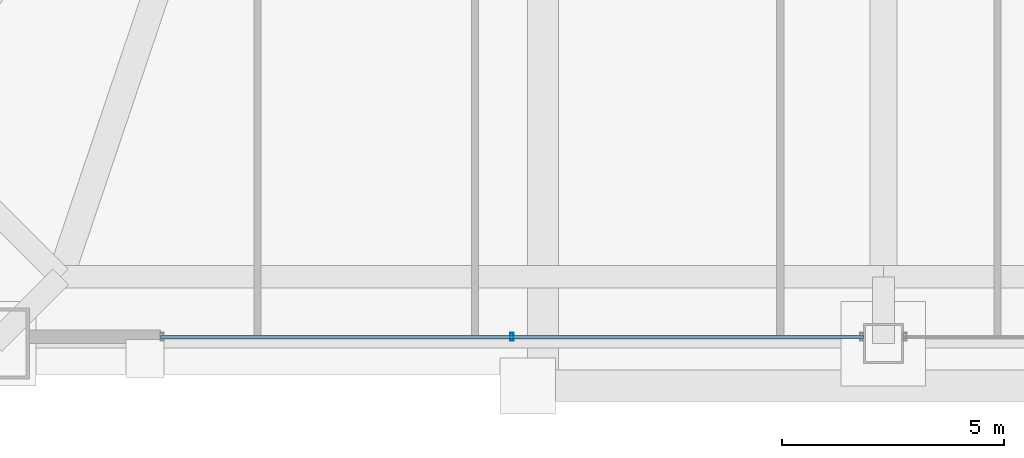
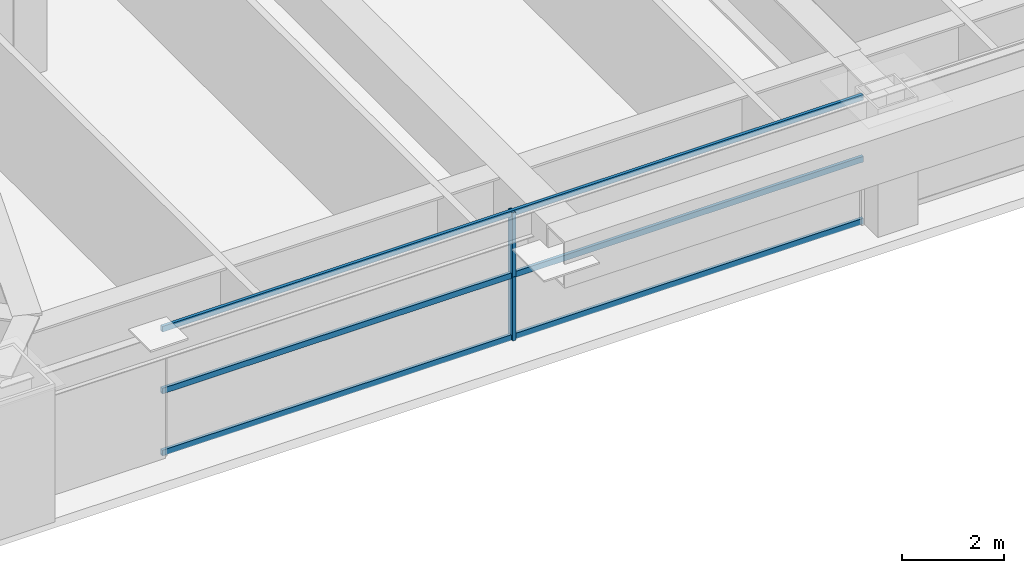
# One storey, part 6 of 45: 5 members, 1 element without a shape of its own.
"""IFC4 building model written with IfcOpenShell, lengths in metres."""

from ifc_helpers import new_model, si_unit, direction, frame, origin, origin_2d, place, context, subcontext, project, spatial, hollow_rectangle, extrude, source, transform, mapped, material, layer, layer_set, material_profile, profile_set, type_object, element, aggregate, save


model = new_model("IFC4")

# Units and contexts
model_context = context("Model", 3, precision=1e-05, world=origin(), true_north=direction((0.0, 1.0)))
body_context = subcontext(model_context, "Body", "Model", "MODEL_VIEW")
ifc_project = project(units=[si_unit("LENGTHUNIT", "METRE"), si_unit("AREAUNIT", "SQUARE_METRE"), si_unit("VOLUMEUNIT", "CUBIC_METRE"), si_unit("PLANEANGLEUNIT", "RADIAN"), si_unit("MASSUNIT", "GRAM", prefix="KILO"), si_unit("THERMODYNAMICTEMPERATUREUNIT", "KELVIN"), si_unit("POWERUNIT", "WATT")], contexts=[model_context])

# Site, building, storey
site_placement = place(None, origin())
site = spatial("IfcSite", under=ifc_project, at=site_placement, CompositionType="ELEMENT")
building_placement = place(site_placement, origin())
building = spatial("IfcBuilding", under=site, at=building_placement, Name="Yuzanri Waterfront Tower", CompositionType="ELEMENT")
storey_placement = place(building_placement, frame((0.0, 0.0, 163.199951171875)))
storey = spatial("IfcBuildingStorey", under=building, at=storey_placement, Name="L43", CompositionType="ELEMENT", Elevation=163.199951171875)

# Curtain wall, members
ifc_material_1 = material(Name="Anodized Architectural Bronze", Category="metal")
ifc_layer = layer(ifc_material_1, 0.159912109375)
ifc_layer_set = layer_set([ifc_layer], Name="Anodized Architectural Bronze")
curtain_wall_type = type_object("IfcCurtainWallType", Name="Anodized Bronze Hotel Upper-Tier Solar-Control Unitized Curtain Wall 7800", PredefinedType="NOTDEFINED", material=ifc_layer_set)
curtain_wall_placement = place(storey_placement, origin())
curtain_wall = element("IfcCurtainWall", 1, at=curtain_wall_placement, inside=storey, type_object=curtain_wall_type, Name="L43 Curtain Wall CW-L43-SL", PredefinedType="NOTDEFINED")
ifc_material_2 = material(Name="Anodized Architectural Bronze", Category="metal")
ifc_material_profile_1 = material_profile(ifc_material_2, hollow_rectangle(XDim=0.070068359375, YDim=0.135009765625, WallThickness=0.00341796875, at=origin_2d()), Name="CWT 70x135")
ifc_profile_set_1 = profile_set([ifc_material_profile_1], Name="Anodized Architectural Bronze")
member_type_1 = type_object("IfcMemberType", Name="Anodized Bronze Standard Curtain-Wall Transom 70x135", PredefinedType="USERDEFINED", material=ifc_profile_set_1)
shared_shape_1 = source(origin(), body_context, "Body", "SweptSolid", [
    extrude(hollow_rectangle(XDim=0.070068359375, YDim=0.135009765625, WallThickness=0.00341796875, at=origin_2d()), origin(), (0.0, 0.0, 1.0), 15.800048828125),
])
member_1_placement = place(storey_placement, frame((20.75, 2.35009765625, 0.050048828125), z_axis=(1.0, 0.0, 0.0), x_axis=(0.0, 1.0, 0.0)))
member_1 = element("IfcMember", 2, at=member_1_placement, type_object=member_type_1, Name="CW-L43-SL Transom 1", ObjectType="TRANSOM", PredefinedType="USERDEFINED", context=body_context, shape_type="MappedRepresentation", body=[
    mapped(shared_shape_1, transform((0.0, 0.0, 0.0), scale=1.0)),
])
member_2_placement = place(storey_placement, frame((20.75, 2.35009765625, 1.525146484375), z_axis=(1.0, 0.0, 0.0), x_axis=(0.0, 1.0, 0.0)))
member_2 = element("IfcMember", 3, at=member_2_placement, type_object=member_type_1, Name="CW-L43-SL Transom 2", ObjectType="TRANSOM", PredefinedType="USERDEFINED", context=body_context, shape_type="MappedRepresentation", body=[
    mapped(shared_shape_1, transform((0.0, 0.0, 0.0), scale=1.0)),
])
member_3_placement = place(storey_placement, frame((20.75, 2.35009765625, 3.0), z_axis=(1.0, 0.0, 0.0), x_axis=(0.0, 1.0, 0.0)))
member_3 = element("IfcMember", 4, at=member_3_placement, type_object=member_type_1, Name="CW-L43-SL Transom 3", ObjectType="TRANSOM", PredefinedType="USERDEFINED", context=body_context, shape_type="MappedRepresentation", body=[
    mapped(shared_shape_1, transform((0.0, 0.0, 0.0), scale=1.0)),
])
ifc_material_3 = material(Name="Anodized Architectural Bronze", Category="metal")
ifc_material_profile_2 = material_profile(ifc_material_3, hollow_rectangle(XDim=0.070068359375, YDim=0.179931640625, WallThickness=0.00390625, at=origin_2d()), Name="CWM 70x180")
ifc_profile_set_2 = profile_set([ifc_material_profile_2], Name="Anodized Architectural Bronze")
member_type_2 = type_object("IfcMemberType", Name="Anodized Bronze Standard Curtain-Wall Mullion 70x180", PredefinedType="MULLION", material=ifc_profile_set_2)
shared_shape_2 = source(origin(), body_context, "Body", "SweptSolid", [
    extrude(hollow_rectangle(XDim=0.070068359375, YDim=0.179931640625, WallThickness=0.00390625, at=origin_2d()), origin(), (0.0, 0.0, 1.0), 1.52294921875),
])
member_4_placement = place(storey_placement, frame((28.64990234375, 2.35009765625, 0.0), z_axis=(0.0, 0.0, 1.0), x_axis=(1.0, 0.0, 0.0)))
member_4 = element("IfcMember", 5, at=member_4_placement, type_object=member_type_2, Name="CW-L43-SL Lower Mullion 01", PredefinedType="MULLION", context=body_context, shape_type="MappedRepresentation", body=[
    mapped(shared_shape_2, transform((0.0, 0.0, 0.0), scale=1.0)),
])
member_5_placement = place(storey_placement, frame((28.64990234375, 2.35009765625, 1.527099609375), z_axis=(0.0, 0.0, 1.0), x_axis=(1.0, 0.0, 0.0)))
member_5 = element("IfcMember", 6, at=member_5_placement, type_object=member_type_2, Name="CW-L43-SL Upper Mullion 01", PredefinedType="MULLION", context=body_context, shape_type="MappedRepresentation", body=[
    mapped(shared_shape_2, transform((0.0, 0.0, 0.0), scale=1.0)),
])
aggregate(curtain_wall, [member_4, member_5, member_1, member_2, member_3])

save(model, "model.ifc")
